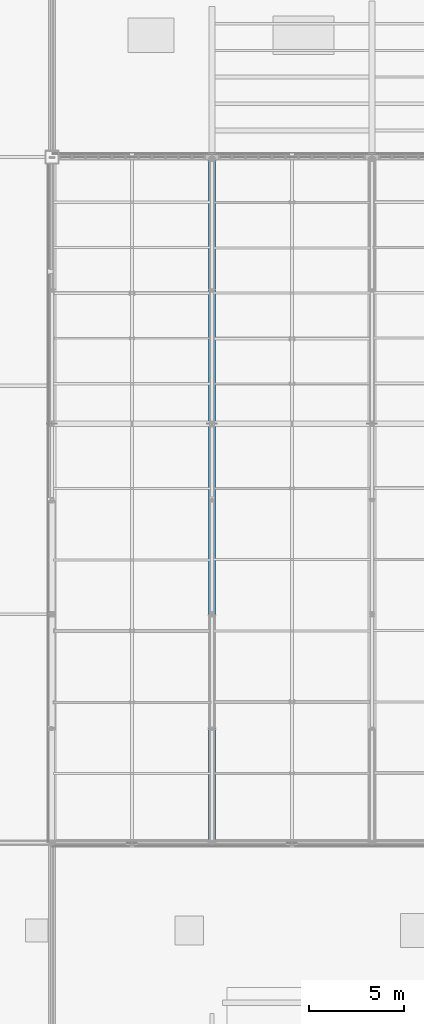
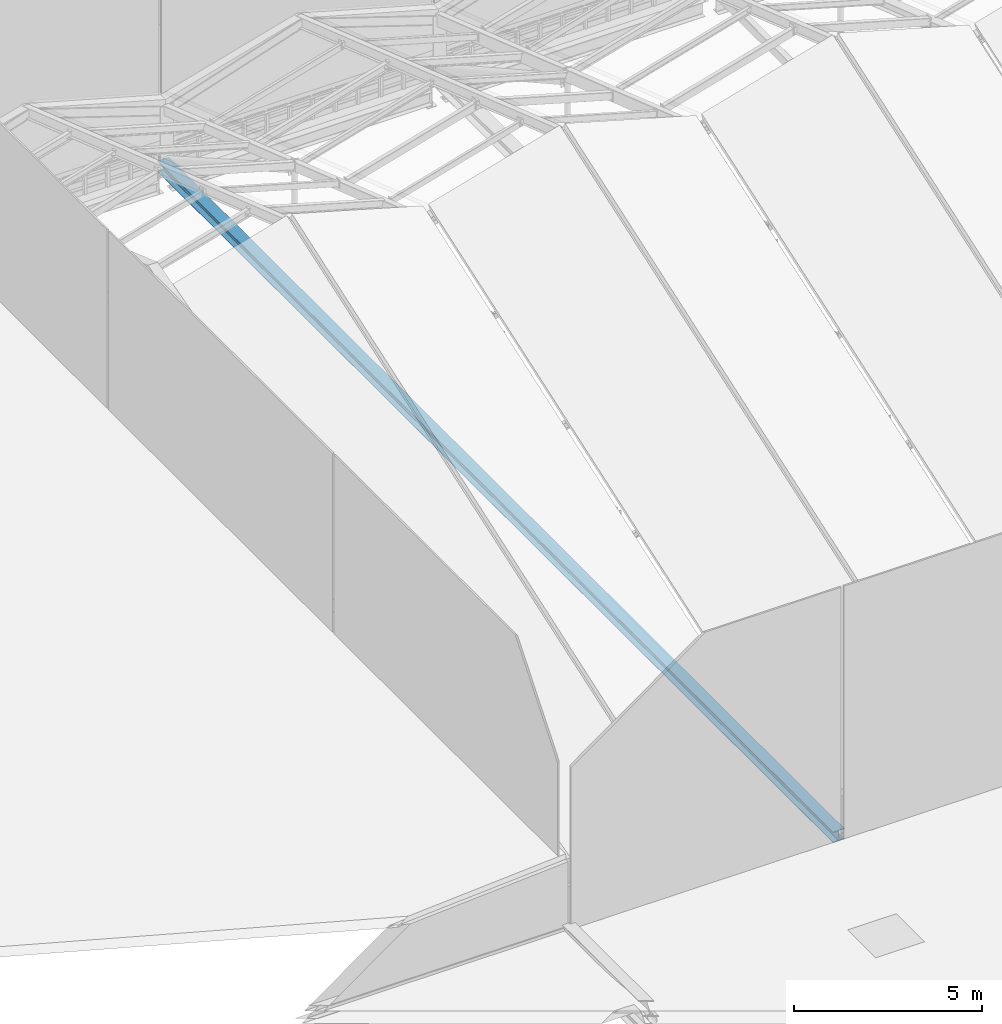
# One storey, part 10 of 77: 1 member.
"""IFC4 building model written with IfcOpenShell, lengths in metres."""

import ifcopenshell
import ifcopenshell.guid

model = None  # the IFC model being written
_history = None  # IfcOwnerHistory: only IFC2X3 demands one
_inside = {}  # id of a spatial element -> (the spatial element, [elements in it])
_under = {}  # id of a project, library or spatial element -> (it, [spatial elements below it])
_declared = {}  # id of a project -> (the project, [libraries it declares])
_typed = {}  # id of a type object -> (the type object, [elements of that type])
_made_of = {}  # id of a material, layer set ... -> (it, [elements and type objects made of it])


def new_model(schema):
    """Start an empty IFC model of exactly this schema.

    Asked for "IFC4X3", IfcOpenShell would pick the latest addendum, in which some entities
    have other attributes; the version numbers below select the first issue.
    IFC2X3 requires an IfcOwnerHistory on every rooted entity: one is made here for all.
    """
    global model, _history
    if schema == "IFC4X3":
        model = ifcopenshell.file(schema_version=(4, 3, 0, 0))
    else:
        model = ifcopenshell.file(schema=schema)
    _inside.clear()
    _under.clear()
    _declared.clear()
    _typed.clear()
    _made_of.clear()
    _history = None
    if model.schema == "IFC2X3":
        org = make("IfcOrganization", Name="unknown")
        user = make(
            "IfcPersonAndOrganization",
            ThePerson=make("IfcPerson", FamilyName="unknown"),
            TheOrganization=org,
        )
        app = make(
            "IfcApplication",
            ApplicationDeveloper=org,
            Version="unknown",
            ApplicationFullName="unknown",
            ApplicationIdentifier="unknown",
        )
        _history = make(
            "IfcOwnerHistory",
            OwningUser=user,
            OwningApplication=app,
            ChangeAction="ADDED",
            CreationDate=0,
        )
    return model


def make(cls, **values):
    """One entity of the class cls with the attributes given. An attribute that is None is left unset."""
    return model.create_entity(
        cls, **{name: value for name, value in values.items() if value is not None}
    )


def rooted(cls, **values):
    """An entity with a GlobalId (a new one), such as an element, a storey or a relation."""
    return make(cls, GlobalId=ifcopenshell.guid.new(), OwnerHistory=_history, **values)


def si_unit(unit_type, name, prefix=None):
    """IfcSIUnit, for example si_unit("LENGTHUNIT", "METRE", prefix="MILLI")."""
    return make("IfcSIUnit", UnitType=unit_type, Prefix=prefix, Name=name)


def assignment(units):
    """IfcUnitAssignment: the units of a project."""
    return None if units is None else make("IfcUnitAssignment", Units=units)


def point(xyz):
    """IfcCartesianPoint."""
    return None if xyz is None else make("IfcCartesianPoint", Coordinates=xyz)


def direction(xyz):
    """IfcDirection."""
    return None if xyz is None else make("IfcDirection", DirectionRatios=xyz)


def frame(location, z_axis=None, x_axis=None):
    """IfcAxis2Placement3D, a coordinate frame: its origin and axes. An axis left out is left unset."""
    return make(
        "IfcAxis2Placement3D",
        Location=point(location),
        Axis=direction(z_axis),
        RefDirection=direction(x_axis),
    )


def frame_2d(location, x_axis=None):
    """IfcAxis2Placement2D, a coordinate frame in the plane: its origin and x axis."""
    return make(
        "IfcAxis2Placement2D", Location=point(location), RefDirection=direction(x_axis)
    )


def origin():
    """The frame at (0, 0, 0) with its axes left unset."""
    return frame((0.0, 0.0, 0.0))


def origin_2d():
    """The frame at (0, 0) in the plane with its x axis left unset."""
    return frame_2d((0.0, 0.0))


def place(relative_to, where):
    """IfcLocalPlacement: puts the frame where relative to a parent placement (None: the world)."""
    return make(
        "IfcLocalPlacement", PlacementRelTo=relative_to, RelativePlacement=where
    )


def context(
    kind, dimensions, precision=None, world=None, true_north=None, identifier=None
):
    """IfcGeometricRepresentationContext, for example the 3D "Model" context."""
    return make(
        "IfcGeometricRepresentationContext",
        ContextIdentifier=identifier,
        ContextType=kind,
        CoordinateSpaceDimension=dimensions,
        Precision=precision,
        WorldCoordinateSystem=world,
        TrueNorth=true_north,
    )


def subcontext(parent, identifier, kind, view, scale=None):
    """IfcGeometricRepresentationSubContext, for example "Body" below "Model"."""
    return make(
        "IfcGeometricRepresentationSubContext",
        ContextIdentifier=identifier,
        ContextType=kind,
        ParentContext=parent,
        TargetScale=scale,
        TargetView=view,
    )


def project(units=None, contexts=None):
    """IfcProject with its units and contexts."""
    return rooted(
        "IfcProject",
        Name="project",
        RepresentationContexts=contexts,
        UnitsInContext=assignment(units),
    )


def spatial(cls, under=None, at=None, **own):
    """A site, building, storey or space (cls), placed at a placement, below another one or the project."""
    s = rooted(cls, ObjectPlacement=at, **own)
    if under is not None:
        _under.setdefault(under.id(), (under, []))[1].append(s)
    return s


def profile(cls, at=None, kind="AREA", **sizes):
    """A parametric profile (cls). Its sizes go by their IFC names, for example OverallWidth=200.0."""
    return make(cls, ProfileType=kind, Position=at, **sizes)


def i_section(**sizes):
    """IfcIShapeProfileDef."""
    return profile("IfcIShapeProfileDef", **sizes)


def extrude(swept, where, along, depth):
    """IfcExtrudedAreaSolid: the profile swept, set in the frame where, extruded along a direction by depth."""
    return make(
        "IfcExtrudedAreaSolid",
        SweptArea=swept,
        Position=where,
        ExtrudedDirection=direction(along),
        Depth=depth,
    )


def shape(context_of_items, identifier, shape_type, items):
    """IfcShapeRepresentation: the items that make up one representation, for example the "Body"."""
    return make(
        "IfcShapeRepresentation",
        ContextOfItems=context_of_items,
        RepresentationIdentifier=identifier,
        RepresentationType=shape_type,
        Items=items,
    )


def material(Name=None, Category=None):
    """IfcMaterial."""
    return make("IfcMaterial", Name=Name, Category=Category)


def material_profile(
    of_material, cross_section, Name=None, Category=None, Priority=None
):
    """IfcMaterialProfile: a cross section and its material."""
    return make(
        "IfcMaterialProfile",
        Name=Name,
        Material=of_material,
        Profile=cross_section,
        Priority=Priority,
        Category=Category,
    )


def profile_set(profiles, Name=None, composite=None):
    """IfcMaterialProfileSet."""
    return make(
        "IfcMaterialProfileSet",
        Name=Name,
        MaterialProfiles=profiles,
        CompositeProfile=composite,
    )


def made_of(thing, what):
    """Note that an element or type object is made of a material, layer set ...; save() writes the relation."""
    if what is not None:
        _made_of.setdefault(what.id(), (what, []))[1].append(thing)
    return thing


def type_object(cls, material=None, **own):
    """A type object (cls), such as IfcWallType, which elements share."""
    return made_of(rooted(cls, **own), material)


def element(
    cls,
    number,
    at=None,
    inside=None,
    cuts=None,
    type_object=None,
    material=None,
    context=None,
    identifier="Body",
    shape_type=None,
    held_by="IfcProductDefinitionShape",
    body=None,
    shapes=None,
    **own,
):
    """One element of the class cls, such as IfcWall. Its Tag is "e" and its number.

    at: its placement. inside: the storey or other place that contains it. cuts: it is an
    opening in that element (IfcRelVoidsElement). A single representation is given by context,
    identifier, shape_type and body (its items); several are given by shapes. held_by: the class
    of the entity that holds the representations. save() writes the other relations.
    """
    e = rooted(cls, Tag="e%d" % number, ObjectPlacement=at, **own)
    if body is not None:
        shapes = [shape(context, identifier, shape_type, body)]
    if shapes is not None:
        e.Representation = make(held_by, Representations=shapes)
    if inside is not None:
        _inside.setdefault(inside.id(), (inside, []))[1].append(e)
    if cuts is not None:
        rooted(
            "IfcRelVoidsElement", RelatingBuildingElement=cuts, RelatedOpeningElement=e
        )
    if type_object is not None:
        _typed.setdefault(type_object.id(), (type_object, []))[1].append(e)
    return made_of(e, material)


def aggregate(whole, parts):
    """IfcRelAggregates: a whole, such as a stair, and the parts it consists of."""
    return rooted("IfcRelAggregates", RelatingObject=whole, RelatedObjects=parts)


def save(model, path):
    """Write the relations noted so far, then the file.

    IfcRelAggregates (storeys below a building ...), IfcRelContainedInSpatialStructure (elements
    in a storey), IfcRelDefinesByType, IfcRelAssociatesMaterial and IfcRelDeclares: one each for
    every whole, place, type object, material and project.
    """
    for whole, parts in _under.values():
        aggregate(whole, parts)
    for where, things in _inside.values():
        rooted(
            "IfcRelContainedInSpatialStructure",
            RelatedElements=things,
            RelatingStructure=where,
        )
    for kind, things in _typed.values():
        rooted("IfcRelDefinesByType", RelatedObjects=things, RelatingType=kind)
    for what, things in _made_of.values():
        rooted("IfcRelAssociatesMaterial", RelatedObjects=things, RelatingMaterial=what)
    for by, libraries in _declared.values():
        rooted("IfcRelDeclares", RelatingContext=by, RelatedDefinitions=libraries)
    model.write(path)


model = new_model("IFC4")

# Units and contexts
model_context = context("Model", 3, precision=1e-05, world=origin(), true_north=direction((0.0, 1.0)))
body_context = subcontext(model_context, "Body", "Model", "MODEL_VIEW")
ifc_project = project(units=[si_unit("LENGTHUNIT", "METRE"), si_unit("AREAUNIT", "SQUARE_METRE"), si_unit("VOLUMEUNIT", "CUBIC_METRE"), si_unit("PLANEANGLEUNIT", "RADIAN"), si_unit("MASSUNIT", "GRAM", prefix="KILO")], contexts=[model_context])

# Site, building, storey
site_placement = place(None, origin())
site = spatial("IfcSite", under=ifc_project, at=site_placement, CompositionType="ELEMENT")
building_placement = place(site_placement, origin())
building = spatial("IfcBuilding", under=site, at=building_placement, Name="Larkvane Passage Sports Hall", CompositionType="ELEMENT")
storey_placement = place(building_placement, frame((0.0, 0.0, 22.199951171875)))
storey = spatial("IfcBuildingStorey", under=building, at=storey_placement, Name="RF", CompositionType="ELEMENT", Elevation=22.199951171875)

# Member
ifc_material = material(Name="Steel S460N", Category="steel")
ifc_material_profile = material_profile(ifc_material, i_section(OverallWidth=0.35009765625, OverallDepth=0.35009765625, WebThickness=0.011962890625, FlangeThickness=0.01904296875, FilletRadius=0.012939453125, at=origin_2d()), Name="H-350x350x12x19")
ifc_profile_set = profile_set([ifc_material_profile], Name="Steel S460N")
member_type = type_object("IfcMemberType", Name="MBR-CH-H350", PredefinedType="CHORD", material=ifc_profile_set)
member_placement = place(storey_placement, frame((43.199951171875, 39.60009765625, 0.050048828125), z_axis=(0.0, 1.0, 0.0), x_axis=(-1.0, 0.0, 0.0)))
element("IfcMember", 1, at=member_placement, inside=storey, type_object=member_type, Name="Arena roof truss 2 bottom chord", PredefinedType="CHORD", context=body_context, shape_type="SweptSolid", body=[
    extrude(i_section(OverallWidth=0.35009765625, OverallDepth=0.35009765625, WebThickness=0.011962890625, FlangeThickness=0.01904296875, FilletRadius=0.012939453125, at=origin_2d()), origin(), (0.0, 0.0, 1.0), 36.0),
])

save(model, "model.ifc")
